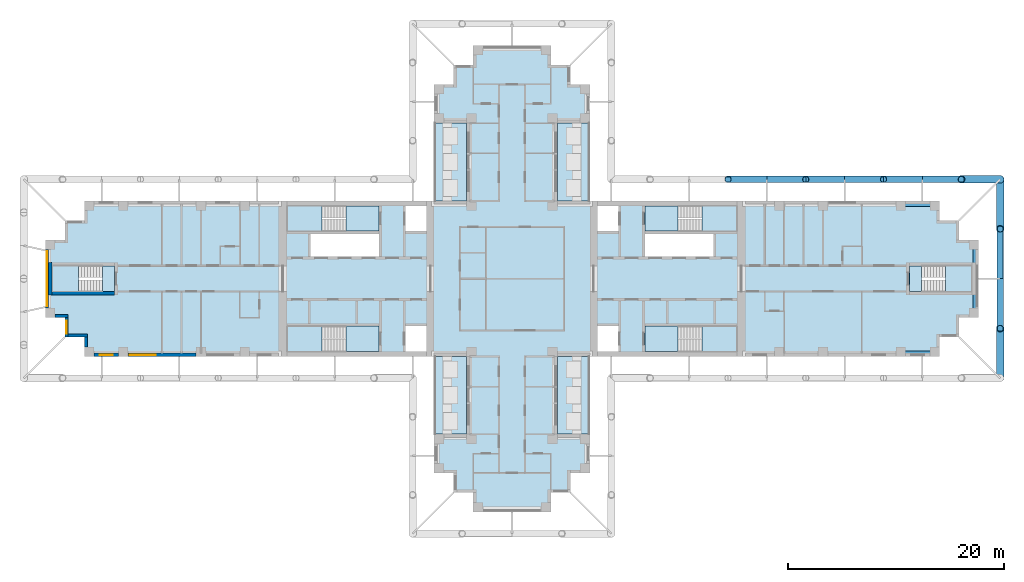
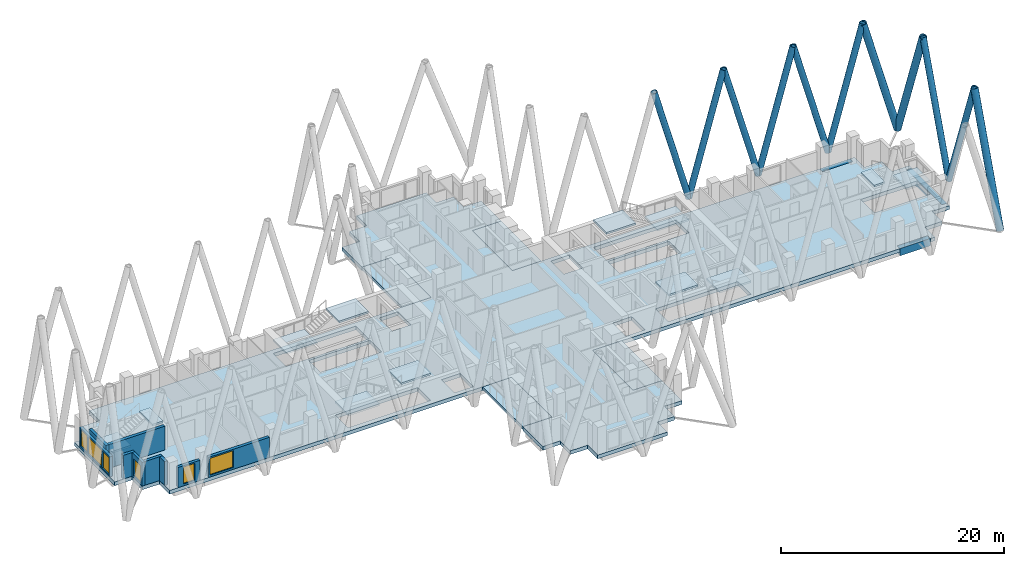
# One storey, part 2 of 13: 17 slabs, 11 members, 9 walls, 6 windows, 3 beams, 6 openings, 6 elements without a shape of their own.
"""IFC4 building model written with IfcOpenShell, lengths in metres."""

from ifc_helpers import new_model, si_unit, direction, frame, frame_2d, origin, origin_2d, place, context, subcontext, project, spatial, polyline, rectangle, hollow_circle, outline, extrude, material, layer, layer_set, material_profile, profile_set, type_object, element, fill, aggregate, save


model = new_model("IFC4")

# Units and contexts
model_context = context("Model", 3, precision=1e-05, world=origin(), true_north=direction((0.0, 1.0)))
body_context = subcontext(model_context, "Body", "Model", "MODEL_VIEW")
ifc_project = project(units=[si_unit("LENGTHUNIT", "METRE"), si_unit("AREAUNIT", "SQUARE_METRE"), si_unit("VOLUMEUNIT", "CUBIC_METRE"), si_unit("PLANEANGLEUNIT", "RADIAN"), si_unit("MASSUNIT", "GRAM", prefix="KILO")], contexts=[model_context])

# Site, building, storey
site_placement = place(None, origin())
site = spatial("IfcSite", under=ifc_project, at=site_placement, CompositionType="ELEMENT")
building_placement = place(site_placement, origin())
building = spatial("IfcBuilding", under=site, at=building_placement, Name="Fustian Cross Tower", CompositionType="ELEMENT")
storey_placement = place(building_placement, frame((0.0, 0.0, 153.300048828125)))
storey = spatial("IfcBuildingStorey", under=building, at=storey_placement, Name="L48", CompositionType="ELEMENT", Elevation=153.300048828125)

# Members
ifc_material_1 = material(Name="Steel S355", Category="steel")
ifc_material_profile_1 = material_profile(ifc_material_1, hollow_circle(Radius=0.3046875, WallThickness=0.02490234375, at=origin_2d()), Name="CHS 610x25")
ifc_profile_set_1 = profile_set([ifc_material_profile_1], Name="Steel S355")
member_type_1 = type_object("IfcMemberType", Name="DIAGRID DIAGONAL CHS 610x25", PredefinedType="BRACE", material=ifc_profile_set_1)
for number, where, z_axis, x_axis, name in (
    (1, (45.199951171875, 0.0, 0.0), (0.0, -0.338203942177, 0.941072841759), (1.0, 0.0, 0.0), "Diagrid diagonal E-end 02"),
    (2, (45.199951171875, 0.0, 0.0), (0.0, 0.338203942177, 0.941072841759), (-1.0, 0.0, 0.0), "Diagrid diagonal E-end 03"),
):
    element("IfcMember", number, at=place(storey_placement, frame(where, z_axis=z_axis, x_axis=x_axis)), inside=storey, type_object=member_type_1, Name=name, PredefinedType="BRACE", context=body_context, shape_type="SweptSolid", body=[
        extrude(hollow_circle(Radius=0.3046875, WallThickness=0.02490234375, at=origin_2d()), origin(), (0.0, 0.0, 1.0), 13.6015625),
    ])
for number, where, z_axis, x_axis, name in (
    (3, (38.0, 9.199951171875, 0.0), (0.27075142585, 0.0, 0.962649295123), (0.0, 1.0, 0.0), "Diagrid diagonal E-N 02"),
    (4, (38.0, 9.199951171875, 0.0), (-0.27075142585, 0.0, 0.962649295123), (0.0, -1.0, 0.0), "Diagrid diagonal E-N 03"),
    (5, (30.800048828125, 9.199951171875, 0.0), (0.270734410693, 0.0, 0.962654080585), (0.0, 1.0, 0.0), "Diagrid diagonal E-N 04"),
    (6, (30.800048828125, 9.199951171875, 0.0), (-0.27075142585, 0.0, 0.962649295123), (0.0, -1.0, 0.0), "Diagrid diagonal E-N 05"),
    (7, (23.60009765625, 9.199951171875, 0.0), (0.270734410693, 0.0, 0.962654080585), (0.0, 1.0, 0.0), "Diagrid diagonal E-N 06"),
    (8, (23.60009765625, 9.199951171875, 0.0), (-0.27075142585, 0.0, 0.962649295123), (0.0, -1.0, 0.0), "Diagrid diagonal E-N 07"),
):
    element("IfcMember", number, at=place(storey_placement, frame(where, z_axis=z_axis, x_axis=x_axis)), inside=storey, type_object=member_type_1, Name=name, PredefinedType="BRACE", context=body_context, shape_type="SweptSolid", body=[
        extrude(hollow_circle(Radius=0.3046875, WallThickness=0.02490234375, at=origin_2d()), origin(), (0.0, 0.0, 1.0), 13.296630859375),
    ])
ifc_material_2 = material(Name="Steel S355", Category="steel")
ifc_material_profile_2 = material_profile(ifc_material_2, hollow_circle(Radius=0.355712890625, WallThickness=0.031982421875, at=origin_2d()), Name="CHS 711x32")
ifc_profile_set_2 = profile_set([ifc_material_profile_2], Name="Steel S355")
member_type_2 = type_object("IfcMemberType", Name="DIAGRID DIAGONAL CHS 711x32", PredefinedType="BRACE", material=ifc_profile_set_2)
for number, where, z_axis, x_axis, name in (
    (9, (45.199951171875, -9.199951171875, 0.0), (0.0, 0.338188045656, 0.941078554519), (-1.0, 0.0, 0.0), "Diagrid diagonal E-end 01"),
    (10, (45.199951171875, 9.199951171875, 0.0), (0.0, -0.338188045656, 0.941078554519), (1.0, 0.0, 0.0), "Diagrid diagonal E-end 04"),
):
    element("IfcMember", number, at=place(storey_placement, frame(where, z_axis=z_axis, x_axis=x_axis)), inside=storey, type_object=member_type_2, Name=name, PredefinedType="BRACE", context=body_context, shape_type="SweptSolid", body=[
        extrude(hollow_circle(Radius=0.355712890625, WallThickness=0.031982421875, at=origin_2d()), origin(), (0.0, 0.0, 1.0), 13.6015625),
    ])
member_placement = place(storey_placement, frame((45.199951171875, 9.199951171875, 0.0), z_axis=(-0.270734410693, 0.0, 0.962654080585), x_axis=(0.0, -1.0, 0.0)))
element("IfcMember", 11, at=member_placement, inside=storey, type_object=member_type_2, Name="Diagrid diagonal E-N 01", PredefinedType="BRACE", context=body_context, shape_type="SweptSolid", body=[
    extrude(hollow_circle(Radius=0.355712890625, WallThickness=0.031982421875, at=origin_2d()), origin(), (0.0, 0.0, 1.0), 13.296630859375),
])

# Beams
ifc_material_3 = material(Name="Concrete C50/60", Category="concrete")
ifc_material_profile_3 = material_profile(ifc_material_3, rectangle(XDim=0.5, YDim=0.800048828125, at=origin_2d()), Name="RC 500x800")
ifc_profile_set_3 = profile_set([ifc_material_profile_3], Name="Concrete C50/60")
beam_type = type_object("IfcBeamType", Name="EDGE BEAM RC 500x800 C50/60", PredefinedType="SPANDREL", material=ifc_profile_set_3)
beam_1_placement = place(storey_placement, frame((36.0, -6.949951171875, -0.400146484375), z_axis=(1.0, 0.0, 0.0), x_axis=(0.0, 1.0, 0.0)))
element("IfcBeam", 12, at=beam_1_placement, inside=storey, type_object=beam_type, Name="EDGE BEAM L48-04", PredefinedType="SPANDREL", context=body_context, shape_type="SweptSolid", body=[
    extrude(rectangle(XDim=0.5, YDim=0.800048828125, at=origin_2d()), origin(), (0.0, 0.0, 1.0), 3.14990234375),
])
beam_2_placement = place(storey_placement, frame((42.949951171875, -3.14990234375, -0.400146484375), z_axis=(0.0, 1.0, 0.0), x_axis=(-1.0, 0.0, 0.0)))
element("IfcBeam", 13, at=beam_2_placement, inside=storey, type_object=beam_type, Name="EDGE BEAM L48-05", PredefinedType="SPANDREL", context=body_context, shape_type="SweptSolid", body=[
    extrude(rectangle(XDim=0.5, YDim=0.800048828125, at=origin_2d()), origin(), (0.0, 0.0, 1.0), 6.2998046875),
])
beam_3_placement = place(storey_placement, frame((39.14990234375, 6.949951171875, -0.400146484375), z_axis=(-1.0, 0.0, 0.0), x_axis=(0.0, -1.0, 0.0)))
element("IfcBeam", 14, at=beam_3_placement, inside=storey, type_object=beam_type, Name="EDGE BEAM L48-06", PredefinedType="SPANDREL", context=body_context, shape_type="SweptSolid", body=[
    extrude(rectangle(XDim=0.5, YDim=0.800048828125, at=origin_2d()), origin(), (0.0, 0.0, 1.0), 3.14990234375),
])

# Slabs
ifc_material_4 = material(Name="Concrete C40/50", Category="concrete")
ifc_layer_1 = layer(ifc_material_4, 0.300048828125)
ifc_layer_set_1 = layer_set([ifc_layer_1], Name="Concrete C40/50")
slab_type_1 = type_object("IfcSlabType", Name="BS1 BALCONY SLAB 300", PredefinedType="FLOOR", material=ifc_layer_set_1)
slab_1_placement = place(storey_placement, frame((0.0, 0.0, -0.300048828125)))
element("IfcSlab", 15, at=slab_1_placement, inside=storey, type_object=slab_type_1, Name="Balcony slab", PredefinedType="FLOOR", context=body_context, shape_type="SweptSolid", body=[
    extrude(outline(polyline([(4.199951171875, 7.199951171875), (7.199951171875, 7.199951171875), (7.199951171875, 14.39990234375), (4.199951171875, 14.39990234375), (4.199951171875, 7.199951171875)])), origin(), (0.0, 0.0, 1.0), 0.300048828125),
])
slab_2_placement = place(storey_placement, frame((0.0, 0.0, -0.300048828125)))
element("IfcSlab", 16, at=slab_2_placement, inside=storey, type_object=slab_type_1, Name="Balcony slab", PredefinedType="FLOOR", context=body_context, shape_type="SweptSolid", body=[
    extrude(outline(polyline([(-7.199951171875, 7.199951171875), (-4.199951171875, 7.199951171875), (-4.199951171875, 14.39990234375), (-7.199951171875, 14.39990234375), (-7.199951171875, 7.199951171875)])), origin(), (0.0, 0.0, 1.0), 0.300048828125),
])
slab_3_placement = place(storey_placement, frame((0.0, 0.0, -0.300048828125)))
element("IfcSlab", 17, at=slab_3_placement, inside=storey, type_object=slab_type_1, Name="Balcony slab", PredefinedType="FLOOR", context=body_context, shape_type="SweptSolid", body=[
    extrude(outline(polyline([(4.199951171875, -14.39990234375), (7.199951171875, -14.39990234375), (7.199951171875, -7.199951171875), (4.199951171875, -7.199951171875), (4.199951171875, -14.39990234375)])), origin(), (0.0, 0.0, 1.0), 0.300048828125),
])
slab_4_placement = place(storey_placement, frame((0.0, 0.0, -0.300048828125)))
element("IfcSlab", 18, at=slab_4_placement, inside=storey, type_object=slab_type_1, Name="Balcony slab", PredefinedType="FLOOR", context=body_context, shape_type="SweptSolid", body=[
    extrude(outline(polyline([(-7.199951171875, -14.39990234375), (-4.199951171875, -14.39990234375), (-4.199951171875, -7.199951171875), (-7.199951171875, -7.199951171875), (-7.199951171875, -14.39990234375)])), origin(), (0.0, 0.0, 1.0), 0.300048828125),
])
ifc_material_5 = material(Name="Concrete C40/50", Category="concrete")
ifc_layer_2 = layer(ifc_material_5, 0.39990234375)
ifc_layer_set_2 = layer_set([ifc_layer_2], Name="Concrete C40/50")
slab_type_2 = type_object("IfcSlabType", Name="FLAT SLAB 400", PredefinedType="FLOOR", material=ifc_layer_set_2)
slab_5_placement = place(storey_placement, frame((0.0, 0.0, -0.400146484375)))
element("IfcSlab", 19, at=slab_5_placement, inside=storey, type_object=slab_type_2, Name="FLOOR SLAB L48-1", PredefinedType="FLOOR", context=body_context, shape_type="SweptSolid", body=[
    extrude(outline(polyline([(-5.39990234375, -18.0), (-7.199951171875, -18.0), (-7.199951171875, -14.39990234375), (-4.199951171875, -14.39990234375), (-4.199951171875, -7.199951171875), (-39.60009765625, -7.199951171875), (-39.60009765625, -5.39990234375), (-41.39990234375, -5.39990234375), (-41.39990234375, -3.60009765625), (-43.199951171875, -3.60009765625), (-43.199951171875, 3.60009765625), (-41.39990234375, 3.60009765625), (-41.39990234375, 5.39990234375), (-39.60009765625, 5.39990234375), (-39.60009765625, 7.199951171875), (-4.199951171875, 7.199951171875), (-4.199951171875, 14.39990234375), (-7.199951171875, 14.39990234375), (-7.199951171875, 18.0), (-5.39990234375, 18.0), (-5.39990234375, 19.800048828125), (-3.60009765625, 19.800048828125), (-3.60009765625, 21.60009765625), (3.60009765625, 21.60009765625), (3.60009765625, 19.800048828125), (5.39990234375, 19.800048828125), (5.39990234375, 18.0), (7.199951171875, 18.0), (7.199951171875, 14.39990234375), (4.199951171875, 14.39990234375), (4.199951171875, 7.199951171875), (39.60009765625, 7.199951171875), (39.60009765625, 5.39990234375), (41.39990234375, 5.39990234375), (41.39990234375, 3.60009765625), (43.199951171875, 3.60009765625), (43.199951171875, -3.60009765625), (41.39990234375, -3.60009765625), (41.39990234375, -5.39990234375), (39.60009765625, -5.39990234375), (39.60009765625, -7.199951171875), (4.199951171875, -7.199951171875), (4.199951171875, -14.39990234375), (7.199951171875, -14.39990234375), (7.199951171875, -18.0), (5.39990234375, -18.0), (5.39990234375, -19.800048828125), (3.60009765625, -19.800048828125), (3.60009765625, -21.60009765625), (-3.60009765625, -21.60009765625), (-3.60009765625, -19.800048828125), (-5.39990234375, -19.800048828125), (-5.39990234375, -18.0)]), holes=[polyline([(9.85009765625, 4.39990234375), (9.85009765625, 6.75), (7.89990234375, 6.75), (7.89990234375, 4.39990234375), (9.85009765625, 4.39990234375)]), polyline([(7.89990234375, -6.75), (9.85009765625, -6.75), (9.85009765625, -4.39990234375), (7.89990234375, -4.39990234375), (7.89990234375, -6.75)]), polyline([(-9.85009765625, 6.75), (-9.85009765625, 4.39990234375), (-7.89990234375, 4.39990234375), (-7.89990234375, 6.75), (-9.85009765625, 6.75)]), polyline([(-7.89990234375, -4.39990234375), (-9.85009765625, -4.39990234375), (-9.85009765625, -6.75), (-7.89990234375, -6.75), (-7.89990234375, -4.39990234375)]), polyline([(18.64990234375, 2.050048828125), (18.64990234375, 4.14990234375), (12.300048828125, 4.14990234375), (12.300048828125, 2.050048828125), (18.64990234375, 2.050048828125)]), polyline([(-18.64990234375, 2.050048828125), (-12.300048828125, 2.050048828125), (-12.300048828125, 4.14990234375), (-18.64990234375, 4.14990234375), (-18.64990234375, 2.050048828125)]), polyline([(12.300048828125, 6.699951171875), (12.300048828125, 4.39990234375), (20.85009765625, 4.39990234375), (20.85009765625, 6.699951171875), (12.300048828125, 6.699951171875)]), polyline([(20.85009765625, -4.39990234375), (12.300048828125, -4.39990234375), (12.300048828125, -6.699951171875), (20.85009765625, -6.699951171875), (20.85009765625, -4.39990234375)]), polyline([(-12.300048828125, 4.39990234375), (-12.300048828125, 6.699951171875), (-20.85009765625, 6.699951171875), (-20.85009765625, 4.39990234375), (-12.300048828125, 4.39990234375)]), polyline([(-20.85009765625, -6.699951171875), (-12.300048828125, -6.699951171875), (-12.300048828125, -4.39990234375), (-20.85009765625, -4.39990234375), (-20.85009765625, -6.699951171875)]), polyline([(36.800048828125, 1.199951171875), (36.800048828125, -1.199951171875), (42.60009765625, -1.199951171875), (42.60009765625, 1.199951171875), (36.800048828125, 1.199951171875)]), polyline([(-36.800048828125, 1.199951171875), (-42.60009765625, 1.199951171875), (-42.60009765625, -1.199951171875), (-36.800048828125, -1.199951171875), (-36.800048828125, 1.199951171875)])]), origin(), (0.0, 0.0, 1.0), 0.400146484375),
])

# Stair, slabs
ifc_material_6 = material(Name="Concrete C50/60", Category="concrete")
stair_type_1 = type_object("IfcStairType", Name="STAIR 1150 HALF TURN", PredefinedType="HALF_TURN_STAIR", material=ifc_material_6)
stair_1_placement = place(storey_placement, origin())
stair_1 = element("IfcStair", 20, at=stair_1_placement, inside=storey, type_object=stair_type_1, Name="Stair ST1", PredefinedType="HALF_TURN_STAIR")
ifc_material_7 = material(Name="Concrete C50/60", Category="concrete")
ifc_layer_3 = layer(ifc_material_7, 0.199951171875)
ifc_layer_set_3 = layer_set([ifc_layer_3], Name="Concrete C50/60")
slab_type_3 = type_object("IfcSlabType", Name="STAIR LANDING", PredefinedType="LANDING", material=ifc_layer_set_3)
slab_6_placement = place(storey_placement, frame((0.0, 0.0, 1.300048828125)))
slab_6 = element("IfcSlab", 21, at=slab_6_placement, type_object=slab_type_3, Name="ST1 landing 1", PredefinedType="LANDING", context=body_context, shape_type="SweptSolid", body=[
    extrude(outline(polyline([(17.590087890625, 4.39990234375), (20.85009765625, 4.39990234375), (20.85009765625, 6.75), (17.590087890625, 6.75), (17.590087890625, 4.39990234375)])), origin(), (0.0, 0.0, 1.0), 0.199951171875),
])
slab_7_placement = place(storey_placement, frame((0.0, 0.0, 2.800048828125)))
slab_7 = element("IfcSlab", 22, at=slab_7_placement, type_object=slab_type_3, Name="ST1 landing 2", PredefinedType="LANDING", context=body_context, shape_type="SweptSolid", body=[
    extrude(outline(polyline([(12.300048828125, 4.39990234375), (15.35009765625, 4.39990234375), (15.35009765625, 6.75), (12.300048828125, 6.75), (12.300048828125, 4.39990234375)])), origin(), (0.0, 0.0, 1.0), 0.199951171875),
])
aggregate(stair_1, [slab_6, slab_7])

stair_2_placement = place(storey_placement, origin())
stair_2 = element("IfcStair", 23, at=stair_2_placement, inside=storey, type_object=stair_type_1, Name="Stair ST2", PredefinedType="HALF_TURN_STAIR")
slab_8_placement = place(storey_placement, frame((0.0, 0.0, 1.300048828125)))
slab_8 = element("IfcSlab", 24, at=slab_8_placement, type_object=slab_type_3, Name="ST2 landing 1", PredefinedType="LANDING", context=body_context, shape_type="SweptSolid", body=[
    extrude(outline(polyline([(17.590087890625, -4.39990234375), (20.85009765625, -4.39990234375), (20.85009765625, -6.75), (17.590087890625, -6.75), (17.590087890625, -4.39990234375)])), origin(), (0.0, 0.0, 1.0), 0.199951171875),
])
slab_9_placement = place(storey_placement, frame((0.0, 0.0, 2.800048828125)))
slab_9 = element("IfcSlab", 25, at=slab_9_placement, type_object=slab_type_3, Name="ST2 landing 2", PredefinedType="LANDING", context=body_context, shape_type="SweptSolid", body=[
    extrude(outline(polyline([(12.300048828125, -4.39990234375), (15.35009765625, -4.39990234375), (15.35009765625, -6.75), (12.300048828125, -6.75), (12.300048828125, -4.39990234375)])), origin(), (0.0, 0.0, 1.0), 0.199951171875),
])
aggregate(stair_2, [slab_8, slab_9])

stair_3_placement = place(storey_placement, origin())
stair_3 = element("IfcStair", 26, at=stair_3_placement, inside=storey, type_object=stair_type_1, Name="Stair ST3", PredefinedType="HALF_TURN_STAIR")
slab_10_placement = place(storey_placement, frame((0.0, 0.0, 1.300048828125)))
slab_10 = element("IfcSlab", 27, at=slab_10_placement, type_object=slab_type_3, Name="ST3 landing 1", PredefinedType="LANDING", context=body_context, shape_type="SweptSolid", body=[
    extrude(outline(polyline([(-17.590087890625, 4.39990234375), (-20.85009765625, 4.39990234375), (-20.85009765625, 6.75), (-17.590087890625, 6.75), (-17.590087890625, 4.39990234375)])), origin(), (0.0, 0.0, 1.0), 0.199951171875),
])
slab_11_placement = place(storey_placement, frame((0.0, 0.0, 2.800048828125)))
slab_11 = element("IfcSlab", 28, at=slab_11_placement, type_object=slab_type_3, Name="ST3 landing 2", PredefinedType="LANDING", context=body_context, shape_type="SweptSolid", body=[
    extrude(outline(polyline([(-12.300048828125, 4.39990234375), (-15.35009765625, 4.39990234375), (-15.35009765625, 6.75), (-12.300048828125, 6.75), (-12.300048828125, 4.39990234375)])), origin(), (0.0, 0.0, 1.0), 0.199951171875),
])
aggregate(stair_3, [slab_10, slab_11])

stair_4_placement = place(storey_placement, origin())
stair_4 = element("IfcStair", 29, at=stair_4_placement, inside=storey, type_object=stair_type_1, Name="Stair ST4", PredefinedType="HALF_TURN_STAIR")
slab_12_placement = place(storey_placement, frame((0.0, 0.0, 1.300048828125)))
slab_12 = element("IfcSlab", 30, at=slab_12_placement, type_object=slab_type_3, Name="ST4 landing 1", PredefinedType="LANDING", context=body_context, shape_type="SweptSolid", body=[
    extrude(outline(polyline([(-17.590087890625, -4.39990234375), (-20.85009765625, -4.39990234375), (-20.85009765625, -6.75), (-17.590087890625, -6.75), (-17.590087890625, -4.39990234375)])), origin(), (0.0, 0.0, 1.0), 0.199951171875),
])
slab_13_placement = place(storey_placement, frame((0.0, 0.0, 2.800048828125)))
slab_13 = element("IfcSlab", 31, at=slab_13_placement, type_object=slab_type_3, Name="ST4 landing 2", PredefinedType="LANDING", context=body_context, shape_type="SweptSolid", body=[
    extrude(outline(polyline([(-12.300048828125, -4.39990234375), (-15.35009765625, -4.39990234375), (-15.35009765625, -6.75), (-12.300048828125, -6.75), (-12.300048828125, -4.39990234375)])), origin(), (0.0, 0.0, 1.0), 0.199951171875),
])
aggregate(stair_4, [slab_12, slab_13])

ifc_material_8 = material(Name="Concrete C50/60", Category="concrete")
stair_type_2 = type_object("IfcStairType", Name="STAIR 1100 HALF TURN", PredefinedType="HALF_TURN_STAIR", material=ifc_material_8)
stair_5_placement = place(storey_placement, origin())
stair_5 = element("IfcStair", 32, at=stair_5_placement, inside=storey, type_object=stair_type_2, Name="Stair ST8", PredefinedType="HALF_TURN_STAIR")
slab_14_placement = place(storey_placement, frame((0.0, 0.0, 1.300048828125)))
slab_14 = element("IfcSlab", 33, at=slab_14_placement, type_object=slab_type_3, Name="ST8 landing 1", PredefinedType="LANDING", context=body_context, shape_type="SweptSolid", body=[
    extrude(outline(polyline([(40.139892578125, -1.199951171875), (42.60009765625, -1.199951171875), (42.60009765625, 1.199951171875), (40.139892578125, 1.199951171875), (40.139892578125, -1.199951171875)])), origin(), (0.0, 0.0, 1.0), 0.199951171875),
])
slab_15_placement = place(storey_placement, frame((0.0, 0.0, 2.800048828125)))
slab_15 = element("IfcSlab", 34, at=slab_15_placement, type_object=slab_type_3, Name="ST8 landing 2", PredefinedType="LANDING", context=body_context, shape_type="SweptSolid", body=[
    extrude(outline(polyline([(36.800048828125, -1.199951171875), (37.89990234375, -1.199951171875), (37.89990234375, 1.199951171875), (36.800048828125, 1.199951171875), (36.800048828125, -1.199951171875)])), origin(), (0.0, 0.0, 1.0), 0.199951171875),
])
aggregate(stair_5, [slab_14, slab_15])

stair_6_placement = place(storey_placement, origin())
stair_6 = element("IfcStair", 35, at=stair_6_placement, inside=storey, type_object=stair_type_2, Name="Stair ST9", PredefinedType="HALF_TURN_STAIR")
slab_16_placement = place(storey_placement, frame((0.0, 0.0, 1.300048828125)))
slab_16 = element("IfcSlab", 36, at=slab_16_placement, type_object=slab_type_3, Name="ST9 landing 1", PredefinedType="LANDING", context=body_context, shape_type="SweptSolid", body=[
    extrude(outline(polyline([(-40.139892578125, -1.199951171875), (-42.60009765625, -1.199951171875), (-42.60009765625, 1.199951171875), (-40.139892578125, 1.199951171875), (-40.139892578125, -1.199951171875)])), origin(), (0.0, 0.0, 1.0), 0.199951171875),
])
slab_17_placement = place(storey_placement, frame((0.0, 0.0, 2.800048828125)))
slab_17 = element("IfcSlab", 37, at=slab_17_placement, type_object=slab_type_3, Name="ST9 landing 2", PredefinedType="LANDING", context=body_context, shape_type="SweptSolid", body=[
    extrude(outline(polyline([(-36.800048828125, -1.199951171875), (-37.89990234375, -1.199951171875), (-37.89990234375, 1.199951171875), (-36.800048828125, 1.199951171875), (-36.800048828125, -1.199951171875)])), origin(), (0.0, 0.0, 1.0), 0.199951171875),
])
aggregate(stair_6, [slab_16, slab_17])

# Walls
ifc_material_9 = material(Name="Concrete C50/60", Category="concrete")
ifc_layer_4 = layer(ifc_material_9, 0.300048828125)
ifc_layer_set_4 = layer_set([ifc_layer_4], Name="Concrete C50/60")
wall_type_1 = type_object("IfcWallType", Name="STAIR ENCLOSURE WALL 300 C50/60", PredefinedType="SHEAR", material=ifc_layer_set_4)
wall_1_placement = place(storey_placement, frame((-42.75, -1.5, 0.0), z_axis=(0.0, 0.0, 1.0), x_axis=(0.0, 1.0, 0.0)))
element("IfcWall", 38, at=wall_1_placement, inside=storey, type_object=wall_type_1, Name="Stair enclosure wall", PredefinedType="SHEAR", context=body_context, shape_type="SweptSolid", body=[
    extrude(rectangle(XDim=3.0, YDim=0.300048828125, at=frame_2d((1.5, 0.0))), origin(), (0.0, 0.0, 1.0), 2.599853515625),
])
wall_2_placement = place(storey_placement, frame((-36.800048828125, -1.35009765625, 0.0), z_axis=(0.0, 0.0, 1.0), x_axis=(-1.0, 0.0, 0.0)))
element("IfcWall", 39, at=wall_2_placement, inside=storey, type_object=wall_type_1, Name="Stair enclosure wall", PredefinedType="SHEAR", context=body_context, shape_type="SweptSolid", body=[
    extrude(rectangle(XDim=5.800048828125, YDim=0.300048828125, at=frame_2d((2.89990234375, 0.0))), origin(), (0.0, 0.0, 1.0), 2.599853515625),
])

# Wall, openings, windows
ifc_material_10 = material(Name="Dark aluminium cladding on insulated backing wall", Category="aluminium")
ifc_layer_5 = layer(ifc_material_10, 0.300048828125)
ifc_layer_set_5 = layer_set([ifc_layer_5], Name="Dark aluminium cladding on insulated backing wall")
wall_type_2 = type_object("IfcWallType", Name="XW1 EXTERNAL WALL 300", PredefinedType="SOLIDWALL", material=ifc_layer_set_5)
wall_3_placement = place(storey_placement, frame((-43.050048828125, 2.699951171875, 0.0), z_axis=(0.0, 0.0, 1.0), x_axis=(0.0, -1.0, 0.0)))
wall_3 = element("IfcWall", 40, at=wall_3_placement, inside=storey, type_object=wall_type_2, Name="External wall", PredefinedType="SOLIDWALL", context=body_context, shape_type="SweptSolid", body=[
    extrude(rectangle(XDim=5.39990234375, YDim=0.300048828125, at=frame_2d((2.699951171875, 0.0))), origin(), (0.0, 0.0, 1.0), 2.199951171875),
])
opening_1_placement = place(wall_3_placement, frame((1.5, 0.0, 0.199951171875)))
opening_1 = element("IfcOpeningElement", 41, at=opening_1_placement, cuts=wall_3, Name="Opening WN1", PredefinedType="OPENING", context=body_context, shape_type="SweptSolid", body=[
    extrude(rectangle(XDim=2.39990234375, YDim=1.85009765625, at=frame_2d((1.199951171875, 0.925048828125))), frame((0.0, 0.159912109375, 0.0), z_axis=(0.0, -1.0, 0.0), x_axis=(1.0, 0.0, 0.0)), (0.0, 0.0, 1.0), 0.320068359375),
])
opening_2_placement = place(wall_3_placement, frame((0.14990234375, 0.0, 0.199951171875)))
opening_2 = element("IfcOpeningElement", 42, at=opening_2_placement, cuts=wall_3, Name="Opening WN3", PredefinedType="OPENING", context=body_context, shape_type="SweptSolid", body=[
    extrude(rectangle(XDim=1.199951171875, YDim=1.85009765625, at=frame_2d((0.60009765625, 0.925048828125))), frame((0.0, 0.159912109375, 0.0), z_axis=(0.0, -1.0, 0.0), x_axis=(1.0, 0.0, 0.0)), (0.0, 0.0, 1.0), 0.320068359375),
])
opening_3_placement = place(wall_3_placement, frame((4.050048828125, 0.0, 0.199951171875)))
opening_3 = element("IfcOpeningElement", 43, at=opening_3_placement, cuts=wall_3, Name="Opening WN3", PredefinedType="OPENING", context=body_context, shape_type="SweptSolid", body=[
    extrude(rectangle(XDim=1.199951171875, YDim=1.85009765625, at=frame_2d((0.60009765625, 0.925048828125))), frame((0.0, 0.159912109375, 0.0), z_axis=(0.0, -1.0, 0.0), x_axis=(1.0, 0.0, 0.0)), (0.0, 0.0, 1.0), 0.320068359375),
])
ifc_material_11 = material(Name="Dark anodised aluminium and double glazing", Category="aluminium")
window_type_1 = type_object("IfcWindowType", Name="WN1 WINDOW 2400X1850", PartitioningType="SINGLE_PANEL", PredefinedType="WINDOW", material=ifc_material_11)
window_1_placement = place(opening_1_placement, origin())
window_1 = element("IfcWindow", 44, at=window_1_placement, inside=storey, type_object=window_type_1, Name="Window", OverallHeight=1.85009765625, OverallWidth=2.39990234375, PartitioningType="SINGLE_PANEL", PredefinedType="WINDOW", context=body_context, shape_type="SweptSolid", body=[
    extrude(rectangle(XDim=2.39990234375, YDim=1.85009765625, at=frame_2d((1.199951171875, 0.925048828125))), frame((0.0, 0.030029296875, 0.0), z_axis=(0.0, -1.0, 0.0), x_axis=(1.0, 0.0, 0.0)), (0.0, 0.0, 1.0), 0.06005859375),
])
fill(opening_1, window_1)
ifc_material_12 = material(Name="Dark anodised aluminium and double glazing", Category="aluminium")
window_type_2 = type_object("IfcWindowType", Name="WN3 WINDOW 1200X1850", PartitioningType="SINGLE_PANEL", PredefinedType="WINDOW", material=ifc_material_12)
window_2_placement = place(opening_2_placement, origin())
window_2 = element("IfcWindow", 45, at=window_2_placement, inside=storey, type_object=window_type_2, Name="Window", OverallHeight=1.85009765625, OverallWidth=1.199951171875, PartitioningType="SINGLE_PANEL", PredefinedType="WINDOW", context=body_context, shape_type="SweptSolid", body=[
    extrude(rectangle(XDim=1.199951171875, YDim=1.85009765625, at=frame_2d((0.60009765625, 0.925048828125))), frame((0.0, 0.030029296875, 0.0), z_axis=(0.0, -1.0, 0.0), x_axis=(1.0, 0.0, 0.0)), (0.0, 0.0, 1.0), 0.06005859375),
])
fill(opening_2, window_2)
window_3_placement = place(opening_3_placement, origin())
window_3 = element("IfcWindow", 46, at=window_3_placement, inside=storey, type_object=window_type_2, Name="Window", OverallHeight=1.85009765625, OverallWidth=1.199951171875, PartitioningType="SINGLE_PANEL", PredefinedType="WINDOW", context=body_context, shape_type="SweptSolid", body=[
    extrude(rectangle(XDim=1.199951171875, YDim=1.85009765625, at=frame_2d((0.60009765625, 0.925048828125))), frame((0.0, 0.030029296875, 0.0), z_axis=(0.0, -1.0, 0.0), x_axis=(1.0, 0.0, 0.0)), (0.0, 0.0, 1.0), 0.06005859375),
])
fill(opening_3, window_3)

# Wall
wall_4_placement = place(storey_placement, frame((-42.300048828125, -3.449951171875, 0.0), z_axis=(0.0, 0.0, 1.0), x_axis=(1.0, 0.0, 0.0)))
element("IfcWall", 47, at=wall_4_placement, inside=storey, type_object=wall_type_2, Name="External wall", PredefinedType="SOLIDWALL", context=body_context, shape_type="SweptSolid", body=[
    extrude(rectangle(XDim=1.199951171875, YDim=0.300048828125, at=frame_2d((0.60009765625, 0.0))), origin(), (0.0, 0.0, 1.0), 2.599853515625),
])

# Wall, opening, window
wall_5_placement = place(storey_placement, frame((-41.25, -3.60009765625, 0.0), z_axis=(0.0, 0.0, 1.0), x_axis=(0.0, -1.0, 0.0)))
wall_5 = element("IfcWall", 48, at=wall_5_placement, inside=storey, type_object=wall_type_2, Name="External wall", PredefinedType="SOLIDWALL", context=body_context, shape_type="SweptSolid", body=[
    extrude(rectangle(XDim=1.7998046875, YDim=0.300048828125, at=frame_2d((0.89990234375, 0.0))), origin(), (0.0, 0.0, 1.0), 2.599853515625),
])
opening_4_placement = place(wall_5_placement, frame((0.300048828125, 0.0, 0.199951171875)))
opening_4 = element("IfcOpeningElement", 49, at=opening_4_placement, cuts=wall_5, Name="Opening WN3", PredefinedType="OPENING", context=body_context, shape_type="SweptSolid", body=[
    extrude(rectangle(XDim=1.199951171875, YDim=1.85009765625, at=frame_2d((0.60009765625, 0.925048828125))), frame((0.0, 0.159912109375, 0.0), z_axis=(0.0, -1.0, 0.0), x_axis=(1.0, 0.0, 0.0)), (0.0, 0.0, 1.0), 0.320068359375),
])
window_4_placement = place(opening_4_placement, origin())
window_4 = element("IfcWindow", 50, at=window_4_placement, inside=storey, type_object=window_type_2, Name="Window", OverallHeight=1.85009765625, OverallWidth=1.199951171875, PartitioningType="SINGLE_PANEL", PredefinedType="WINDOW", context=body_context, shape_type="SweptSolid", body=[
    extrude(rectangle(XDim=1.199951171875, YDim=1.85009765625, at=frame_2d((0.60009765625, 0.925048828125))), frame((0.0, 0.030029296875, 0.0), z_axis=(0.0, -1.0, 0.0), x_axis=(1.0, 0.0, 0.0)), (0.0, 0.0, 1.0), 0.06005859375),
])
fill(opening_4, window_4)

# Walls
wall_6_placement = place(storey_placement, frame((-41.10009765625, -5.25, 0.0), z_axis=(0.0, 0.0, 1.0), x_axis=(1.0, 0.0, 0.0)))
element("IfcWall", 51, at=wall_6_placement, inside=storey, type_object=wall_type_2, Name="External wall", PredefinedType="SOLIDWALL", context=body_context, shape_type="SweptSolid", body=[
    extrude(rectangle(XDim=1.800048828125, YDim=0.300048828125, at=frame_2d((0.89990234375, 0.0))), origin(), (0.0, 0.0, 1.0), 2.599853515625),
])
wall_7_placement = place(storey_placement, frame((-39.449951171875, -5.39990234375, 0.0), z_axis=(0.0, 0.0, 1.0), x_axis=(0.0, -1.0, 0.0)))
element("IfcWall", 52, at=wall_7_placement, inside=storey, type_object=wall_type_2, Name="External wall", PredefinedType="SOLIDWALL", context=body_context, shape_type="SweptSolid", body=[
    extrude(rectangle(XDim=0.900146484375, YDim=0.300048828125, at=frame_2d((0.4501953125, 0.0))), origin(), (0.0, 0.0, 1.0), 2.599853515625),
])

# Wall, opening, window
wall_8_placement = place(storey_placement, frame((-38.699951171875, -7.050048828125, 0.0), z_axis=(0.0, 0.0, 1.0), x_axis=(1.0, 0.0, 0.0)))
wall_8 = element("IfcWall", 53, at=wall_8_placement, inside=storey, type_object=wall_type_2, Name="External wall", PredefinedType="SOLIDWALL", context=body_context, shape_type="SweptSolid", body=[
    extrude(rectangle(XDim=2.25, YDim=0.300048828125, at=frame_2d((1.125, 0.0))), origin(), (0.0, 0.0, 1.0), 2.199951171875),
])
opening_5_placement = place(wall_8_placement, frame((0.52490234375, 0.0, 0.199951171875)))
opening_5 = element("IfcOpeningElement", 54, at=opening_5_placement, cuts=wall_8, Name="Opening WN3", PredefinedType="OPENING", context=body_context, shape_type="SweptSolid", body=[
    extrude(rectangle(XDim=1.199951171875, YDim=1.85009765625, at=frame_2d((0.60009765625, 0.925048828125))), frame((0.0, 0.159912109375, 0.0), z_axis=(0.0, -1.0, 0.0), x_axis=(1.0, 0.0, 0.0)), (0.0, 0.0, 1.0), 0.320068359375),
])
window_5_placement = place(opening_5_placement, origin())
window_5 = element("IfcWindow", 55, at=window_5_placement, inside=storey, type_object=window_type_2, Name="Window", OverallHeight=1.85009765625, OverallWidth=1.199951171875, PartitioningType="SINGLE_PANEL", PredefinedType="WINDOW", context=body_context, shape_type="SweptSolid", body=[
    extrude(rectangle(XDim=1.199951171875, YDim=1.85009765625, at=frame_2d((0.60009765625, 0.925048828125))), frame((0.0, 0.030029296875, 0.0), z_axis=(0.0, -1.0, 0.0), x_axis=(1.0, 0.0, 0.0)), (0.0, 0.0, 1.0), 0.06005859375),
])
fill(opening_5, window_5)

wall_9_placement = place(storey_placement, frame((-35.550048828125, -7.050048828125, 0.0), z_axis=(0.0, 0.0, 1.0), x_axis=(1.0, 0.0, 0.0)))
wall_9 = element("IfcWall", 56, at=wall_9_placement, inside=storey, type_object=wall_type_2, Name="External wall", PredefinedType="SOLIDWALL", context=body_context, shape_type="SweptSolid", body=[
    extrude(rectangle(XDim=6.300048828125, YDim=0.300048828125, at=frame_2d((3.14990234375, 0.0))), origin(), (0.0, 0.0, 1.0), 2.199951171875),
])
opening_6_placement = place(wall_9_placement, frame((0.14990234375, 0.0, 0.199951171875)))
opening_6 = element("IfcOpeningElement", 57, at=opening_6_placement, cuts=wall_9, Name="Opening WN1", PredefinedType="OPENING", context=body_context, shape_type="SweptSolid", body=[
    extrude(rectangle(XDim=2.39990234375, YDim=1.85009765625, at=frame_2d((1.199951171875, 0.925048828125))), frame((0.0, 0.159912109375, 0.0), z_axis=(0.0, -1.0, 0.0), x_axis=(1.0, 0.0, 0.0)), (0.0, 0.0, 1.0), 0.320068359375),
])
window_6_placement = place(opening_6_placement, origin())
window_6 = element("IfcWindow", 58, at=window_6_placement, inside=storey, type_object=window_type_1, Name="Window", OverallHeight=1.85009765625, OverallWidth=2.39990234375, PartitioningType="SINGLE_PANEL", PredefinedType="WINDOW", context=body_context, shape_type="SweptSolid", body=[
    extrude(rectangle(XDim=2.39990234375, YDim=1.85009765625, at=frame_2d((1.199951171875, 0.925048828125))), frame((0.0, 0.030029296875, 0.0), z_axis=(0.0, -1.0, 0.0), x_axis=(1.0, 0.0, 0.0)), (0.0, 0.0, 1.0), 0.06005859375),
])
fill(opening_6, window_6)

save(model, "model.ifc")
